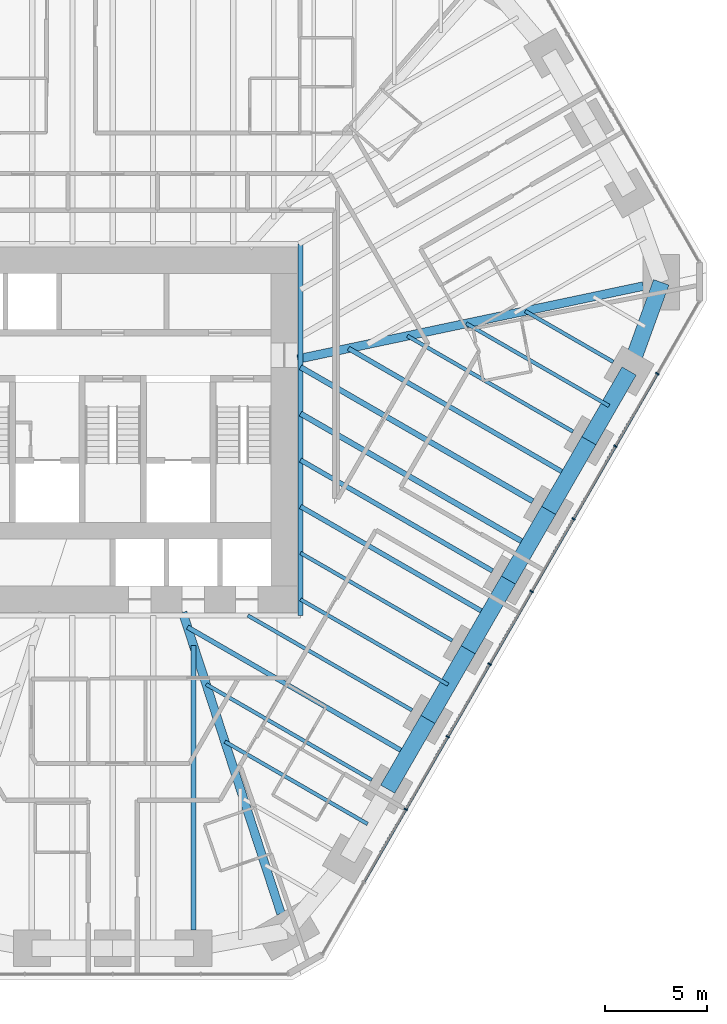
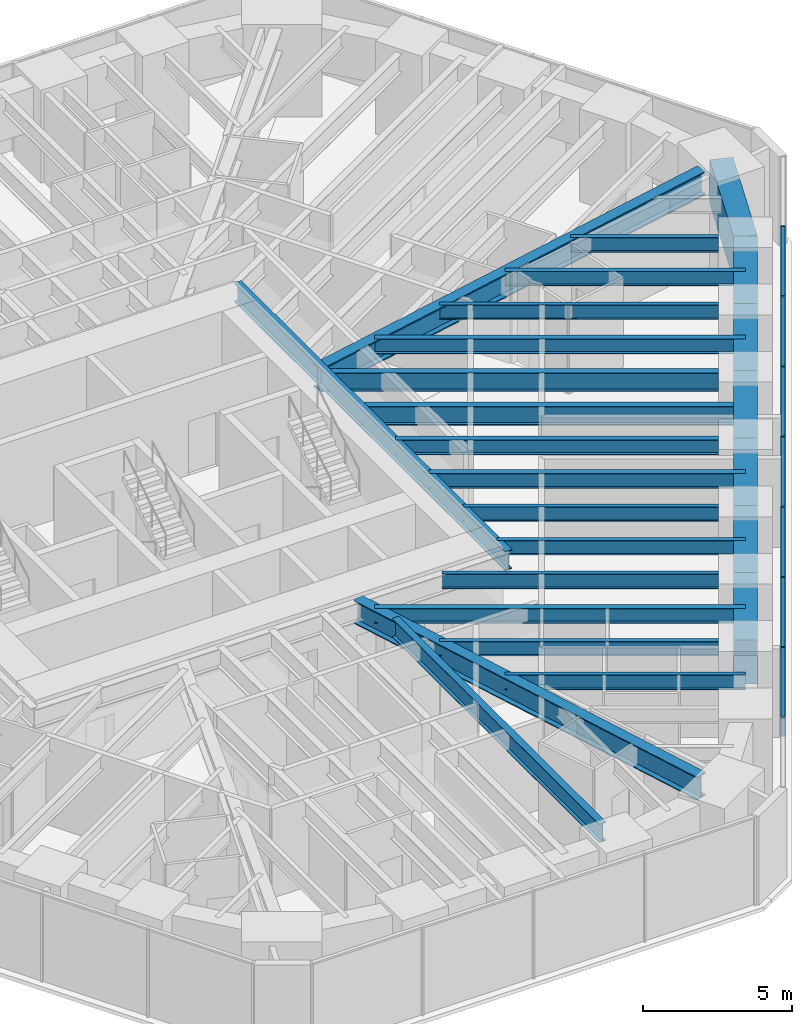
# One storey, part 5 of 17: 25 beams, 14 members, 1 element without a shape of its own.
"""IFC4 building model written with IfcOpenShell, lengths in metres."""

import ifcopenshell
import ifcopenshell.guid

model = None  # the IFC model being written
_history = None  # IfcOwnerHistory: only IFC2X3 demands one
_inside = {}  # id of a spatial element -> (the spatial element, [elements in it])
_under = {}  # id of a project, library or spatial element -> (it, [spatial elements below it])
_declared = {}  # id of a project -> (the project, [libraries it declares])
_typed = {}  # id of a type object -> (the type object, [elements of that type])
_made_of = {}  # id of a material, layer set ... -> (it, [elements and type objects made of it])


def new_model(schema):
    """Start an empty IFC model of exactly this schema.

    Asked for "IFC4X3", IfcOpenShell would pick the latest addendum, in which some entities
    have other attributes; the version numbers below select the first issue.
    IFC2X3 requires an IfcOwnerHistory on every rooted entity: one is made here for all.
    """
    global model, _history
    if schema == "IFC4X3":
        model = ifcopenshell.file(schema_version=(4, 3, 0, 0))
    else:
        model = ifcopenshell.file(schema=schema)
    _inside.clear()
    _under.clear()
    _declared.clear()
    _typed.clear()
    _made_of.clear()
    _history = None
    if model.schema == "IFC2X3":
        org = make("IfcOrganization", Name="unknown")
        user = make(
            "IfcPersonAndOrganization",
            ThePerson=make("IfcPerson", FamilyName="unknown"),
            TheOrganization=org,
        )
        app = make(
            "IfcApplication",
            ApplicationDeveloper=org,
            Version="unknown",
            ApplicationFullName="unknown",
            ApplicationIdentifier="unknown",
        )
        _history = make(
            "IfcOwnerHistory",
            OwningUser=user,
            OwningApplication=app,
            ChangeAction="ADDED",
            CreationDate=0,
        )
    return model


def make(cls, **values):
    """One entity of the class cls with the attributes given. An attribute that is None is left unset."""
    return model.create_entity(
        cls, **{name: value for name, value in values.items() if value is not None}
    )


def rooted(cls, **values):
    """An entity with a GlobalId (a new one), such as an element, a storey or a relation."""
    return make(cls, GlobalId=ifcopenshell.guid.new(), OwnerHistory=_history, **values)


def si_unit(unit_type, name, prefix=None):
    """IfcSIUnit, for example si_unit("LENGTHUNIT", "METRE", prefix="MILLI")."""
    return make("IfcSIUnit", UnitType=unit_type, Prefix=prefix, Name=name)


def assignment(units):
    """IfcUnitAssignment: the units of a project."""
    return None if units is None else make("IfcUnitAssignment", Units=units)


def point(xyz):
    """IfcCartesianPoint."""
    return None if xyz is None else make("IfcCartesianPoint", Coordinates=xyz)


def direction(xyz):
    """IfcDirection."""
    return None if xyz is None else make("IfcDirection", DirectionRatios=xyz)


def frame(location, z_axis=None, x_axis=None):
    """IfcAxis2Placement3D, a coordinate frame: its origin and axes. An axis left out is left unset."""
    return make(
        "IfcAxis2Placement3D",
        Location=point(location),
        Axis=direction(z_axis),
        RefDirection=direction(x_axis),
    )


def frame_2d(location, x_axis=None):
    """IfcAxis2Placement2D, a coordinate frame in the plane: its origin and x axis."""
    return make(
        "IfcAxis2Placement2D", Location=point(location), RefDirection=direction(x_axis)
    )


def origin():
    """The frame at (0, 0, 0) with its axes left unset."""
    return frame((0.0, 0.0, 0.0))


def origin_2d():
    """The frame at (0, 0) in the plane with its x axis left unset."""
    return frame_2d((0.0, 0.0))


def place(relative_to, where):
    """IfcLocalPlacement: puts the frame where relative to a parent placement (None: the world)."""
    return make(
        "IfcLocalPlacement", PlacementRelTo=relative_to, RelativePlacement=where
    )


def context(
    kind, dimensions, precision=None, world=None, true_north=None, identifier=None
):
    """IfcGeometricRepresentationContext, for example the 3D "Model" context."""
    return make(
        "IfcGeometricRepresentationContext",
        ContextIdentifier=identifier,
        ContextType=kind,
        CoordinateSpaceDimension=dimensions,
        Precision=precision,
        WorldCoordinateSystem=world,
        TrueNorth=true_north,
    )


def subcontext(parent, identifier, kind, view, scale=None):
    """IfcGeometricRepresentationSubContext, for example "Body" below "Model"."""
    return make(
        "IfcGeometricRepresentationSubContext",
        ContextIdentifier=identifier,
        ContextType=kind,
        ParentContext=parent,
        TargetScale=scale,
        TargetView=view,
    )


def project(units=None, contexts=None):
    """IfcProject with its units and contexts."""
    return rooted(
        "IfcProject",
        Name="project",
        RepresentationContexts=contexts,
        UnitsInContext=assignment(units),
    )


def spatial(cls, under=None, at=None, **own):
    """A site, building, storey or space (cls), placed at a placement, below another one or the project."""
    s = rooted(cls, ObjectPlacement=at, **own)
    if under is not None:
        _under.setdefault(under.id(), (under, []))[1].append(s)
    return s


def profile(cls, at=None, kind="AREA", **sizes):
    """A parametric profile (cls). Its sizes go by their IFC names, for example OverallWidth=200.0."""
    return make(cls, ProfileType=kind, Position=at, **sizes)


def rectangle(**sizes):
    """IfcRectangleProfileDef."""
    return profile("IfcRectangleProfileDef", **sizes)


def i_section(**sizes):
    """IfcIShapeProfileDef."""
    return profile("IfcIShapeProfileDef", **sizes)


def extrude(swept, where, along, depth):
    """IfcExtrudedAreaSolid: the profile swept, set in the frame where, extruded along a direction by depth."""
    return make(
        "IfcExtrudedAreaSolid",
        SweptArea=swept,
        Position=where,
        ExtrudedDirection=direction(along),
        Depth=depth,
    )


def shape(context_of_items, identifier, shape_type, items):
    """IfcShapeRepresentation: the items that make up one representation, for example the "Body"."""
    return make(
        "IfcShapeRepresentation",
        ContextOfItems=context_of_items,
        RepresentationIdentifier=identifier,
        RepresentationType=shape_type,
        Items=items,
    )


def material(Name=None, Category=None):
    """IfcMaterial."""
    return make("IfcMaterial", Name=Name, Category=Category)


def material_profile(
    of_material, cross_section, Name=None, Category=None, Priority=None
):
    """IfcMaterialProfile: a cross section and its material."""
    return make(
        "IfcMaterialProfile",
        Name=Name,
        Material=of_material,
        Profile=cross_section,
        Priority=Priority,
        Category=Category,
    )


def profile_set(profiles, Name=None, composite=None):
    """IfcMaterialProfileSet."""
    return make(
        "IfcMaterialProfileSet",
        Name=Name,
        MaterialProfiles=profiles,
        CompositeProfile=composite,
    )


def made_of(thing, what):
    """Note that an element or type object is made of a material, layer set ...; save() writes the relation."""
    if what is not None:
        _made_of.setdefault(what.id(), (what, []))[1].append(thing)
    return thing


def type_object(cls, material=None, **own):
    """A type object (cls), such as IfcWallType, which elements share."""
    return made_of(rooted(cls, **own), material)


def element(
    cls,
    number,
    at=None,
    inside=None,
    cuts=None,
    type_object=None,
    material=None,
    context=None,
    identifier="Body",
    shape_type=None,
    held_by="IfcProductDefinitionShape",
    body=None,
    shapes=None,
    **own,
):
    """One element of the class cls, such as IfcWall. Its Tag is "e" and its number.

    at: its placement. inside: the storey or other place that contains it. cuts: it is an
    opening in that element (IfcRelVoidsElement). A single representation is given by context,
    identifier, shape_type and body (its items); several are given by shapes. held_by: the class
    of the entity that holds the representations. save() writes the other relations.
    """
    e = rooted(cls, Tag="e%d" % number, ObjectPlacement=at, **own)
    if body is not None:
        shapes = [shape(context, identifier, shape_type, body)]
    if shapes is not None:
        e.Representation = make(held_by, Representations=shapes)
    if inside is not None:
        _inside.setdefault(inside.id(), (inside, []))[1].append(e)
    if cuts is not None:
        rooted(
            "IfcRelVoidsElement", RelatingBuildingElement=cuts, RelatedOpeningElement=e
        )
    if type_object is not None:
        _typed.setdefault(type_object.id(), (type_object, []))[1].append(e)
    return made_of(e, material)


def aggregate(whole, parts):
    """IfcRelAggregates: a whole, such as a stair, and the parts it consists of."""
    return rooted("IfcRelAggregates", RelatingObject=whole, RelatedObjects=parts)


def save(model, path):
    """Write the relations noted so far, then the file.

    IfcRelAggregates (storeys below a building ...), IfcRelContainedInSpatialStructure (elements
    in a storey), IfcRelDefinesByType, IfcRelAssociatesMaterial and IfcRelDeclares: one each for
    every whole, place, type object, material and project.
    """
    for whole, parts in _under.values():
        aggregate(whole, parts)
    for where, things in _inside.values():
        rooted(
            "IfcRelContainedInSpatialStructure",
            RelatedElements=things,
            RelatingStructure=where,
        )
    for kind, things in _typed.values():
        rooted("IfcRelDefinesByType", RelatedObjects=things, RelatingType=kind)
    for what, things in _made_of.values():
        rooted("IfcRelAssociatesMaterial", RelatedObjects=things, RelatingMaterial=what)
    for by, libraries in _declared.values():
        rooted("IfcRelDeclares", RelatingContext=by, RelatedDefinitions=libraries)
    model.write(path)


model = new_model("IFC4")

# Units and contexts
model_context = context("Model", 3, precision=1e-05, world=origin(), true_north=direction((0.0, 1.0)))
body_context = subcontext(model_context, "Body", "Model", "MODEL_VIEW")
ifc_project = project(units=[si_unit("LENGTHUNIT", "METRE"), si_unit("AREAUNIT", "SQUARE_METRE"), si_unit("VOLUMEUNIT", "CUBIC_METRE"), si_unit("PLANEANGLEUNIT", "RADIAN"), si_unit("MASSUNIT", "GRAM", prefix="KILO")], contexts=[model_context])

# Site, building, storey
site_placement = place(None, origin())
site = spatial("IfcSite", under=ifc_project, at=site_placement, CompositionType="ELEMENT")
building_placement = place(site_placement, origin())
building = spatial("IfcBuilding", under=site, at=building_placement, Name="Sandreach Pilgrim Tower", CompositionType="ELEMENT")
storey_placement = place(building_placement, frame((0.0, 0.0, 104.39990234375)))
storey = spatial("IfcBuildingStorey", under=building, at=storey_placement, Name="L25", CompositionType="ELEMENT", Elevation=104.39990234375)

# Curtain wall, members
ifc_material_1 = material(Name="Aluminium framed curtain wall", Category="aluminium")
curtain_wall_type = type_object("IfcCurtainWallType", Name="Hotel tower curtain wall", PredefinedType="NOTDEFINED", material=ifc_material_1)
curtain_wall_placement = place(storey_placement, origin())
curtain_wall = element("IfcCurtainWall", 1, at=curtain_wall_placement, inside=storey, type_object=curtain_wall_type, Name="CW-2 L25 SE", PredefinedType="NOTDEFINED")
ifc_material_2 = material(Name="Aluminium extrusion", Category="aluminium")
ifc_material_profile_1 = material_profile(ifc_material_2, rectangle(XDim=0.06494140625, YDim=0.179931640625, at=origin_2d()), Name="CW-2M 65X180")
ifc_profile_set_1 = profile_set([ifc_material_profile_1], Name="Aluminium extrusion")
member_type_1 = type_object("IfcMemberType", Name="CW-2 mullion", PredefinedType="MULLION", material=ifc_profile_set_1)
member_1_placement = place(storey_placement, frame((26.66748046875, 1.20166015625, 0.0), z_axis=(0.0, 0.0, 1.0), x_axis=(-0.5, -0.866025403784, 0.0)))
member_1 = element("IfcMember", 2, at=member_1_placement, type_object=member_type_1, Name="CW-2 mullion 2", PredefinedType="MULLION", context=body_context, shape_type="SweptSolid", body=[
    extrude(rectangle(XDim=0.06494140625, YDim=0.179931640625, at=origin_2d()), origin(), (0.0, 0.0, 1.0), 3.64013671875),
])
member_2_placement = place(storey_placement, frame((24.614013671875, -2.35498046875, 0.0), z_axis=(0.0, 0.0, 1.0), x_axis=(-0.5, -0.866025403784, 0.0)))
member_2 = element("IfcMember", 3, at=member_2_placement, type_object=member_type_1, Name="CW-2 mullion 3", PredefinedType="MULLION", context=body_context, shape_type="SweptSolid", body=[
    extrude(rectangle(XDim=0.06494140625, YDim=0.179931640625, at=origin_2d()), origin(), (0.0, 0.0, 1.0), 3.64013671875),
])
member_3_placement = place(storey_placement, frame((22.560302734375, -5.911865234375, 0.0), z_axis=(0.0, 0.0, 1.0), x_axis=(-0.5, -0.866025403784, 0.0)))
member_3 = element("IfcMember", 4, at=member_3_placement, type_object=member_type_1, Name="CW-2 mullion 4", PredefinedType="MULLION", context=body_context, shape_type="SweptSolid", body=[
    extrude(rectangle(XDim=0.06494140625, YDim=0.179931640625, at=origin_2d()), origin(), (0.0, 0.0, 1.0), 3.64013671875),
])
member_4_placement = place(storey_placement, frame((20.5068359375, -9.468505859375, 0.0), z_axis=(0.0, 0.0, 1.0), x_axis=(-0.5, -0.866025403784, 0.0)))
member_4 = element("IfcMember", 5, at=member_4_placement, type_object=member_type_1, Name="CW-2 mullion 5", PredefinedType="MULLION", context=body_context, shape_type="SweptSolid", body=[
    extrude(rectangle(XDim=0.06494140625, YDim=0.179931640625, at=origin_2d()), origin(), (0.0, 0.0, 1.0), 3.64013671875),
])
member_5_placement = place(storey_placement, frame((18.453369140625, -13.025146484375, 0.0), z_axis=(0.0, 0.0, 1.0), x_axis=(-0.5, -0.866025403784, 0.0)))
member_5 = element("IfcMember", 6, at=member_5_placement, type_object=member_type_1, Name="CW-2 mullion 6", PredefinedType="MULLION", context=body_context, shape_type="SweptSolid", body=[
    extrude(rectangle(XDim=0.06494140625, YDim=0.179931640625, at=origin_2d()), origin(), (0.0, 0.0, 1.0), 3.64013671875),
])
member_6_placement = place(storey_placement, frame((16.39990234375, -16.58203125, 0.0), z_axis=(0.0, 0.0, 1.0), x_axis=(-0.5, -0.866025403784, 0.0)))
member_6 = element("IfcMember", 7, at=member_6_placement, type_object=member_type_1, Name="CW-2 mullion 7", PredefinedType="MULLION", context=body_context, shape_type="SweptSolid", body=[
    extrude(rectangle(XDim=0.06494140625, YDim=0.179931640625, at=origin_2d()), origin(), (0.0, 0.0, 1.0), 3.64013671875),
])
member_7_placement = place(storey_placement, frame((14.346435546875, -20.138671875, 0.0), z_axis=(0.0, 0.0, 1.0), x_axis=(-0.5, -0.866025403784, 0.0)))
member_7 = element("IfcMember", 8, at=member_7_placement, type_object=member_type_1, Name="CW-2 mullion 8", PredefinedType="MULLION", context=body_context, shape_type="SweptSolid", body=[
    extrude(rectangle(XDim=0.06494140625, YDim=0.179931640625, at=origin_2d()), origin(), (0.0, 0.0, 1.0), 3.64013671875),
])
ifc_material_3 = material(Name="Aluminium extrusion", Category="aluminium")
ifc_material_profile_2 = material_profile(ifc_material_3, rectangle(XDim=0.139892578125, YDim=0.070068359375, at=origin_2d()), Name="CW-2T 140X70")
ifc_profile_set_2 = profile_set([ifc_material_profile_2], Name="Aluminium extrusion")
member_type_2 = type_object("IfcMemberType", Name="CW-2 transom", PredefinedType="USERDEFINED", material=ifc_profile_set_2)
member_8_placement = place(storey_placement, frame((26.651123046875, 1.173583984375, 3.60498046875), z_axis=(-0.499997818338, -0.866026663364, 0.0), x_axis=(0.866026663364, -0.499997818338, 0.0)))
member_8 = element("IfcMember", 9, at=member_8_placement, type_object=member_type_2, Name="CW-2 head transom 2", ObjectType="TRANSOM", PredefinedType="USERDEFINED", context=body_context, shape_type="SweptSolid", body=[
    extrude(rectangle(XDim=0.139892578125, YDim=0.070068359375, at=origin_2d()), origin(), (0.0, 0.0, 1.0), 4.0419921875),
])
member_9_placement = place(storey_placement, frame((24.59765625, -2.38330078125, 3.60498046875), z_axis=(-0.500023973715, -0.866011562111, 0.0), x_axis=(0.866011562111, -0.500023973715, 0.0)))
member_9 = element("IfcMember", 10, at=member_9_placement, type_object=member_type_2, Name="CW-2 head transom 3", ObjectType="TRANSOM", PredefinedType="USERDEFINED", context=body_context, shape_type="SweptSolid", body=[
    extrude(rectangle(XDim=0.139892578125, YDim=0.070068359375, at=origin_2d()), origin(), (0.0, 0.0, 1.0), 4.041748046875),
])
member_10_placement = place(storey_placement, frame((22.544189453125, -5.93994140625, 3.60498046875), z_axis=(-0.499997818338, -0.866026663364, 0.0), x_axis=(0.866026663364, -0.499997818338, 0.0)))
member_10 = element("IfcMember", 11, at=member_10_placement, type_object=member_type_2, Name="CW-2 head transom 4", ObjectType="TRANSOM", PredefinedType="USERDEFINED", context=body_context, shape_type="SweptSolid", body=[
    extrude(rectangle(XDim=0.139892578125, YDim=0.070068359375, at=origin_2d()), origin(), (0.0, 0.0, 1.0), 4.0419921875),
])
member_11_placement = place(storey_placement, frame((20.49072265625, -9.49658203125, 3.60498046875), z_axis=(-0.499997818338, -0.866026663364, 0.0), x_axis=(0.866026663364, -0.499997818338, 0.0)))
member_11 = element("IfcMember", 12, at=member_11_placement, type_object=member_type_2, Name="CW-2 head transom 5", ObjectType="TRANSOM", PredefinedType="USERDEFINED", context=body_context, shape_type="SweptSolid", body=[
    extrude(rectangle(XDim=0.139892578125, YDim=0.070068359375, at=origin_2d()), origin(), (0.0, 0.0, 1.0), 4.0419921875),
])
member_12_placement = place(storey_placement, frame((18.437255859375, -13.053466796875, 3.60498046875), z_axis=(-0.499997818338, -0.866026663364, 0.0), x_axis=(0.866026663364, -0.499997818338, 0.0)))
member_12 = element("IfcMember", 13, at=member_12_placement, type_object=member_type_2, Name="CW-2 head transom 6", ObjectType="TRANSOM", PredefinedType="USERDEFINED", context=body_context, shape_type="SweptSolid", body=[
    extrude(rectangle(XDim=0.139892578125, YDim=0.070068359375, at=origin_2d()), origin(), (0.0, 0.0, 1.0), 4.0419921875),
])
member_13_placement = place(storey_placement, frame((16.3837890625, -16.610107421875, 3.60498046875), z_axis=(-0.499997818338, -0.866026663364, 0.0), x_axis=(0.866026663364, -0.499997818338, 0.0)))
member_13 = element("IfcMember", 14, at=member_13_placement, type_object=member_type_2, Name="CW-2 head transom 7", ObjectType="TRANSOM", PredefinedType="USERDEFINED", context=body_context, shape_type="SweptSolid", body=[
    extrude(rectangle(XDim=0.139892578125, YDim=0.070068359375, at=origin_2d()), origin(), (0.0, 0.0, 1.0), 4.0419921875),
])
member_14_placement = place(storey_placement, frame((14.330322265625, -20.1669921875, 3.60498046875), z_axis=(-0.500023973715, -0.866011562111, 0.0), x_axis=(0.866011562111, -0.500023973715, 0.0)))
member_14 = element("IfcMember", 15, at=member_14_placement, type_object=member_type_2, Name="CW-2 head transom 8", ObjectType="TRANSOM", PredefinedType="USERDEFINED", context=body_context, shape_type="SweptSolid", body=[
    extrude(rectangle(XDim=0.139892578125, YDim=0.070068359375, at=origin_2d()), origin(), (0.0, 0.0, 1.0), 4.041748046875),
])
aggregate(curtain_wall, [member_1, member_2, member_3, member_4, member_5, member_6, member_7, member_8, member_9, member_10, member_11, member_12, member_13, member_14])

# Beams
ifc_material_4 = material(Name="Steel ASTM A992 Grade 50", Category="steel")
ifc_material_profile_3 = material_profile(ifc_material_4, i_section(OverallWidth=0.2666015625, OverallDepth=0.77978515625, WebThickness=0.0166015625, FlangeThickness=0.030029296875, at=origin_2d()), Name="W30X148")
ifc_profile_set_3 = profile_set([ifc_material_profile_3], Name="Steel ASTM A992 Grade 50")
beam_type_1 = type_object("IfcBeamType", Name="Core edge beam W30X148", PredefinedType="BEAM", material=ifc_profile_set_3)
beam_1_placement = place(storey_placement, frame((9.193359375, 7.54345703125, 3.250244140625), z_axis=(0.0, -1.0, 0.0), x_axis=(1.0, 0.0, 0.0)))
element("IfcBeam", 16, at=beam_1_placement, inside=storey, type_object=beam_type_1, Name="BM L25 CEE", PredefinedType="BEAM", context=body_context, shape_type="SweptSolid", body=[
    extrude(i_section(OverallWidth=0.2666015625, OverallDepth=0.77978515625, WebThickness=0.0166015625, FlangeThickness=0.030029296875, at=origin_2d()), origin(), (0.0, 0.0, 1.0), 18.186767578125),
])
ifc_material_5 = material(Name="Steel ASTM A992 Grade 50", Category="steel")
ifc_material_profile_4 = material_profile(ifc_material_5, i_section(OverallWidth=0.421630859375, OverallDepth=0.937255859375, WebThickness=0.0224609375, FlangeThickness=0.039794921875, at=origin_2d()), Name="W36X282")
ifc_profile_set_4 = profile_set([ifc_material_profile_4], Name="Steel ASTM A992 Grade 50")
beam_type_2 = type_object("IfcBeamType", Name="Corner girder W36X282", PredefinedType="BEAM", material=ifc_profile_set_4)
beam_2_placement = place(storey_placement, frame((8.238525390625, -25.23876953125, 3.17138671875), z_axis=(-0.310307109519, 0.950636364643, 0.0), x_axis=(-0.950636364643, -0.310307109519, 0.0)))
element("IfcBeam", 17, at=beam_2_placement, inside=storey, type_object=beam_type_2, Name="BM L25 CG22", PredefinedType="BEAM", context=body_context, shape_type="SweptSolid", body=[
    extrude(i_section(OverallWidth=0.421630859375, OverallDepth=0.937255859375, WebThickness=0.0224609375, FlangeThickness=0.039794921875, at=origin_2d()), origin(), (0.0, 0.0, 1.0), 15.504150390625),
])
ifc_material_6 = material(Name="Steel ASTM A992 Grade 50", Category="steel")
ifc_material_profile_5 = material_profile(ifc_material_6, i_section(OverallWidth=0.424072265625, OverallDepth=0.965087890625, WebThickness=0.028564453125, FlangeThickness=0.051025390625, at=origin_2d()), Name="W36X361")
ifc_profile_set_5 = profile_set([ifc_material_profile_5], Name="Steel ASTM A992 Grade 50")
beam_type_3 = type_object("IfcBeamType", Name="Corner girder W36X361", PredefinedType="BEAM", material=ifc_profile_set_5)
beam_3_placement = place(storey_placement, frame((25.976806640625, 5.484619140625, 3.157470703125), z_axis=(-0.978427882284, -0.206588671447, 0.0), x_axis=(0.206588671447, -0.978427882284, 0.0)))
element("IfcBeam", 18, at=beam_3_placement, inside=storey, type_object=beam_type_3, Name="BM L25 CG13", PredefinedType="BEAM", context=body_context, shape_type="SweptSolid", body=[
    extrude(i_section(OverallWidth=0.424072265625, OverallDepth=0.965087890625, WebThickness=0.028564453125, FlangeThickness=0.051025390625, at=origin_2d()), origin(), (0.0, 0.0, 1.0), 17.300048828125),
])
ifc_material_7 = material(Name="Steel ASTM A992 Grade 50", Category="steel")
ifc_material_profile_6 = material_profile(ifc_material_7, i_section(OverallWidth=0.1787109375, OverallDepth=0.60205078125, WebThickness=0.010986328125, FlangeThickness=0.014892578125, at=origin_2d()), Name="W24X62")
ifc_profile_set_6 = profile_set([ifc_material_profile_6], Name="Steel ASTM A992 Grade 50")
beam_type_4 = type_object("IfcBeamType", Name="Floor beam W24X62", PredefinedType="BEAM", material=ifc_profile_set_6)
beam_4_placement = place(storey_placement, frame((24.50439453125, 1.775390625, 3.339111328125), z_axis=(-0.866024645457, 0.500001313459, 0.0), x_axis=(-0.500001313459, -0.866024645457, 0.0)))
element("IfcBeam", 19, at=beam_4_placement, inside=storey, type_object=beam_type_4, Name="BM L25 F14", PredefinedType="BEAM", context=body_context, shape_type="SweptSolid", body=[
    extrude(i_section(OverallWidth=0.1787109375, OverallDepth=0.60205078125, WebThickness=0.010986328125, FlangeThickness=0.014892578125, at=origin_2d()), origin(), (0.0, 0.0, 1.0), 4.9765625),
])
beam_5_placement = place(storey_placement, frame((22.534423828125, -1.63671875, 3.339111328125), z_axis=(-0.866012351917, 0.500022605817, 0.0), x_axis=(-0.500022605817, -0.866012351917, 0.0)))
element("IfcBeam", 20, at=beam_5_placement, inside=storey, type_object=beam_type_4, Name="BM L25 F15", PredefinedType="BEAM", context=body_context, shape_type="SweptSolid", body=[
    extrude(i_section(OverallWidth=0.1787109375, OverallDepth=0.60205078125, WebThickness=0.010986328125, FlangeThickness=0.014892578125, at=origin_2d()), origin(), (0.0, 0.0, 1.0), 9.3642578125),
])
beam_6_placement = place(storey_placement, frame((16.62451171875, -11.873046875, 3.339111328125), z_axis=(-0.866017857595, 0.500013070155, 0.0), x_axis=(-0.500013070155, -0.866017857595, 0.0)))
element("IfcBeam", 21, at=beam_6_placement, inside=storey, type_object=beam_type_4, Name="BM L25 F18", PredefinedType="BEAM", context=body_context, shape_type="SweptSolid", body=[
    extrude(i_section(OverallWidth=0.1787109375, OverallDepth=0.60205078125, WebThickness=0.010986328125, FlangeThickness=0.014892578125, at=origin_2d()), origin(), (0.0, 0.0, 1.0), 8.580810546875),
])
beam_7_placement = place(storey_placement, frame((14.654541015625, -15.28515625, 3.339111328125), z_axis=(-0.866015659929, 0.500016876472, 0.0), x_axis=(-0.500016876472, -0.866015659929, 0.0)))
element("IfcBeam", 22, at=beam_7_placement, inside=storey, type_object=beam_type_4, Name="BM L25 F19", PredefinedType="BEAM", context=body_context, shape_type="SweptSolid", body=[
    extrude(i_section(OverallWidth=0.1787109375, OverallDepth=0.60205078125, WebThickness=0.010986328125, FlangeThickness=0.014892578125, at=origin_2d()), origin(), (0.0, 0.0, 1.0), 9.283447265625),
])
beam_8_placement = place(storey_placement, frame((12.6845703125, -18.697265625, 3.339111328125), z_axis=(-0.866012351917, 0.500022605817, 0.0), x_axis=(-0.500022605817, -0.866012351917, 0.0)))
element("IfcBeam", 23, at=beam_8_placement, inside=storey, type_object=beam_type_4, Name="BM L25 F20", PredefinedType="BEAM", context=body_context, shape_type="SweptSolid", body=[
    extrude(i_section(OverallWidth=0.1787109375, OverallDepth=0.60205078125, WebThickness=0.010986328125, FlangeThickness=0.014892578125, at=origin_2d()), origin(), (0.0, 0.0, 1.0), 9.3642578125),
])
beam_9_placement = place(storey_placement, frame((24.298828125, -0.380615234375, 3.339111328125), z_axis=(-0.866022864518, 0.500004398112, 0.0), x_axis=(-0.500004398112, -0.866022864518, 0.0)))
element("IfcBeam", 24, at=beam_9_placement, inside=storey, type_object=beam_type_4, Name="BM L25 FM14", PredefinedType="BEAM", context=body_context, shape_type="SweptSolid", body=[
    extrude(i_section(OverallWidth=0.1787109375, OverallDepth=0.60205078125, WebThickness=0.010986328125, FlangeThickness=0.014892578125, at=origin_2d()), origin(), (0.0, 0.0, 1.0), 8.0703125),
])
beam_10_placement = place(storey_placement, frame((16.4189453125, -14.029052734375, 3.339111328125), z_axis=(-0.866016009309, 0.500016271356, 0.0), x_axis=(-0.500016271356, -0.866016009309, 0.0)))
element("IfcBeam", 25, at=beam_10_placement, inside=storey, type_object=beam_type_4, Name="BM L25 FM18", PredefinedType="BEAM", context=body_context, shape_type="SweptSolid", body=[
    extrude(i_section(OverallWidth=0.1787109375, OverallDepth=0.60205078125, WebThickness=0.010986328125, FlangeThickness=0.014892578125, at=origin_2d()), origin(), (0.0, 0.0, 1.0), 8.343505859375),
])
beam_11_placement = place(storey_placement, frame((12.47900390625, -20.853271484375, 3.339111328125), z_axis=(-0.866017328257, 0.500013986963, 0.0), x_axis=(-0.500013986963, -0.866017328257, 0.0)))
element("IfcBeam", 26, at=beam_11_placement, inside=storey, type_object=beam_type_4, Name="BM L25 FM20", PredefinedType="BEAM", context=body_context, shape_type="SweptSolid", body=[
    extrude(i_section(OverallWidth=0.1787109375, OverallDepth=0.60205078125, WebThickness=0.010986328125, FlangeThickness=0.014892578125, at=origin_2d()), origin(), (0.0, 0.0, 1.0), 8.070556640625),
])
ifc_material_8 = material(Name="Steel ASTM A992 Grade 50", Category="steel")
ifc_material_profile_7 = material_profile(ifc_material_8, i_section(OverallWidth=0.23046875, OverallDepth=0.6171875, WebThickness=0.01318359375, FlangeThickness=0.022216796875, at=origin_2d()), Name="W24X94")
ifc_profile_set_7 = profile_set([ifc_material_profile_7], Name="Steel ASTM A992 Grade 50")
beam_type_5 = type_object("IfcBeamType", Name="Floor beam W24X94", PredefinedType="BEAM", material=ifc_profile_set_7)
beam_12_placement = place(storey_placement, frame((18.594482421875, -8.4609375, 3.33154296875), z_axis=(-0.866015926388, 0.500016414973, 0.0), x_axis=(-0.500016414973, -0.866015926388, 0.0)))
element("IfcBeam", 27, at=beam_12_placement, inside=storey, type_object=beam_type_5, Name="BM L25 F17", PredefinedType="BEAM", context=body_context, shape_type="SweptSolid", body=[
    extrude(i_section(OverallWidth=0.23046875, OverallDepth=0.6171875, WebThickness=0.01318359375, FlangeThickness=0.022216796875, at=origin_2d()), origin(), (0.0, 0.0, 1.0), 10.855712890625),
])
beam_13_placement = place(storey_placement, frame((22.328857421875, -3.792724609375, 3.33154296875), z_axis=(-0.866019150617, 0.500010830648, 0.0), x_axis=(-0.500010830648, -0.866019150617, 0.0)))
element("IfcBeam", 28, at=beam_13_placement, inside=storey, type_object=beam_type_5, Name="BM L25 FM15", PredefinedType="BEAM", context=body_context, shape_type="SweptSolid", body=[
    extrude(i_section(OverallWidth=0.23046875, OverallDepth=0.6171875, WebThickness=0.01318359375, FlangeThickness=0.022216796875, at=origin_2d()), origin(), (0.0, 0.0, 1.0), 12.458251953125),
])
beam_14_placement = place(storey_placement, frame((18.388916015625, -10.616943359375, 3.33154296875), z_axis=(-0.866024387147, 0.500001760863, 0.0), x_axis=(-0.500001760863, -0.866024387147, 0.0)))
element("IfcBeam", 29, at=beam_14_placement, inside=storey, type_object=beam_type_5, Name="BM L25 FM17", PredefinedType="BEAM", context=body_context, shape_type="SweptSolid", body=[
    extrude(i_section(OverallWidth=0.23046875, OverallDepth=0.6171875, WebThickness=0.01318359375, FlangeThickness=0.022216796875, at=origin_2d()), origin(), (0.0, 0.0, 1.0), 10.6181640625),
])
beam_15_placement = place(storey_placement, frame((14.448974609375, -17.441162109375, 3.33154296875), z_axis=(-0.866019150617, 0.500010830648, 0.0), x_axis=(-0.500010830648, -0.866019150617, 0.0)))
element("IfcBeam", 30, at=beam_15_placement, inside=storey, type_object=beam_type_5, Name="BM L25 FM19", PredefinedType="BEAM", context=body_context, shape_type="SweptSolid", body=[
    extrude(i_section(OverallWidth=0.23046875, OverallDepth=0.6171875, WebThickness=0.01318359375, FlangeThickness=0.022216796875, at=origin_2d()), origin(), (0.0, 0.0, 1.0), 12.458251953125),
])
ifc_material_9 = material(Name="Steel ASTM A992 Grade 50", Category="steel")
ifc_material_profile_8 = material_profile(ifc_material_9, i_section(OverallWidth=0.2666015625, OverallDepth=0.761962890625, WebThickness=0.014404296875, FlangeThickness=0.021484375, at=origin_2d()), Name="W30X116")
ifc_profile_set_8 = profile_set([ifc_material_profile_8], Name="Steel ASTM A992 Grade 50")
beam_type_6 = type_object("IfcBeamType", Name="Floor beam W30X116", PredefinedType="BEAM", material=ifc_profile_set_8)
beam_16_placement = place(storey_placement, frame((20.564453125, -5.048828125, 3.259033203125), z_axis=(-0.866022715736, 0.500004655807, 0.0), x_axis=(-0.500004655807, -0.866022715736, 0.0)))
element("IfcBeam", 31, at=beam_16_placement, inside=storey, type_object=beam_type_6, Name="BM L25 F16", PredefinedType="BEAM", context=body_context, shape_type="SweptSolid", body=[
    extrude(i_section(OverallWidth=0.2666015625, OverallDepth=0.761962890625, WebThickness=0.014404296875, FlangeThickness=0.021484375, at=origin_2d()), origin(), (0.0, 0.0, 1.0), 13.130126953125),
])
beam_17_placement = place(storey_placement, frame((3.955322265625, -26.0322265625, 3.259033203125), z_axis=(0.0, 1.0, 0.0), x_axis=(-1.0, 0.0, 0.0)))
element("IfcBeam", 32, at=beam_17_placement, inside=storey, type_object=beam_type_6, Name="BM L25 F23", PredefinedType="BEAM", context=body_context, shape_type="SweptSolid", body=[
    extrude(i_section(OverallWidth=0.2666015625, OverallDepth=0.761962890625, WebThickness=0.014404296875, FlangeThickness=0.021484375, at=origin_2d()), origin(), (0.0, 0.0, 1.0), 13.91552734375),
])
beam_18_placement = place(storey_placement, frame((20.35888671875, -7.204833984375, 3.259033203125), z_axis=(-0.866021609098, 0.500006572533, 0.0), x_axis=(-0.500006572533, -0.866021609098, 0.0)))
element("IfcBeam", 33, at=beam_18_placement, inside=storey, type_object=beam_type_6, Name="BM L25 FM16", PredefinedType="BEAM", context=body_context, shape_type="SweptSolid", body=[
    extrude(i_section(OverallWidth=0.2666015625, OverallDepth=0.761962890625, WebThickness=0.014404296875, FlangeThickness=0.021484375, at=origin_2d()), origin(), (0.0, 0.0, 1.0), 12.892822265625),
])
ifc_material_10 = material(Name="Concrete 10000 psi", Category="concrete")
ifc_material_profile_9 = material_profile(ifc_material_10, rectangle(XDim=0.800048828125, YDim=1.800048828125, at=origin_2d()), Name="RC800X1800")
ifc_profile_set_9 = profile_set([ifc_material_profile_9], Name="Concrete 10000 psi")
beam_type_7 = type_object("IfcBeamType", Name="Spandrel beam RC800X1800", PredefinedType="SPANDREL", material=ifc_profile_set_9)
beam_19_placement = place(storey_placement, frame((26.857177734375, 5.67041015625, 2.739990234375), z_axis=(-0.340453163563, -0.940261476091, 0.0), x_axis=(0.940261476091, -0.340453163563, 0.0)))
element("IfcBeam", 34, at=beam_19_placement, inside=storey, type_object=beam_type_7, Name="BM L25 SP13", PredefinedType="SPANDREL", context=body_context, shape_type="SweptSolid", body=[
    extrude(rectangle(XDim=0.800048828125, YDim=1.800048828125, at=origin_2d()), origin(), (0.0, 0.0, 1.0), 4.62109375),
])
for number, where, z_axis, x_axis, name in (
    (35, (25.283935546875, 1.325439453125, 2.739990234375), (-0.49999779889, -0.866026674592, 0.0), (0.866026674592, -0.49999779889, 0.0), "BM L25 SP14"),
    (36, (23.31396484375, -2.086669921875, 2.739990234375), (-0.49999779889, -0.866026674592, 0.0), (0.866026674592, -0.49999779889, 0.0), "BM L25 SP15"),
    (37, (21.343994140625, -5.498779296875, 2.739990234375), (-0.49999779889, -0.866026674592, 0.0), (0.866026674592, -0.49999779889, 0.0), "BM L25 SP16"),
    (38, (19.3740234375, -8.910888671875, 2.739990234375), (-0.49999779889, -0.866026674592, 0.0), (0.866026674592, -0.49999779889, 0.0), "BM L25 SP17"),
    (39, (17.404052734375, -12.322998046875, 2.739990234375), (-0.49999779889, -0.866026674592, 0.0), (0.866026674592, -0.49999779889, 0.0), "BM L25 SP18"),
    (40, (15.43408203125, -15.735107421875, 2.739990234375), (-0.49999779889, -0.866026674592, 0.0), (0.866026674592, -0.49999779889, 0.0), "BM L25 SP19"),
):
    element("IfcBeam", number, at=place(storey_placement, frame(where, z_axis=z_axis, x_axis=x_axis)), inside=storey, type_object=beam_type_7, Name=name, PredefinedType="SPANDREL", context=body_context, shape_type="SweptSolid", body=[
        extrude(rectangle(XDim=0.800048828125, YDim=1.800048828125, at=origin_2d()), origin(), (0.0, 0.0, 1.0), 3.93994140625),
    ])

save(model, "model.ifc")
